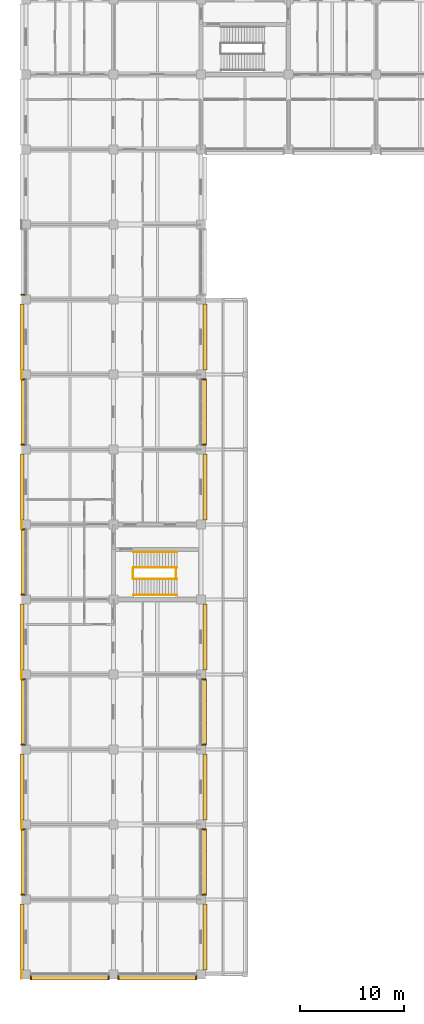
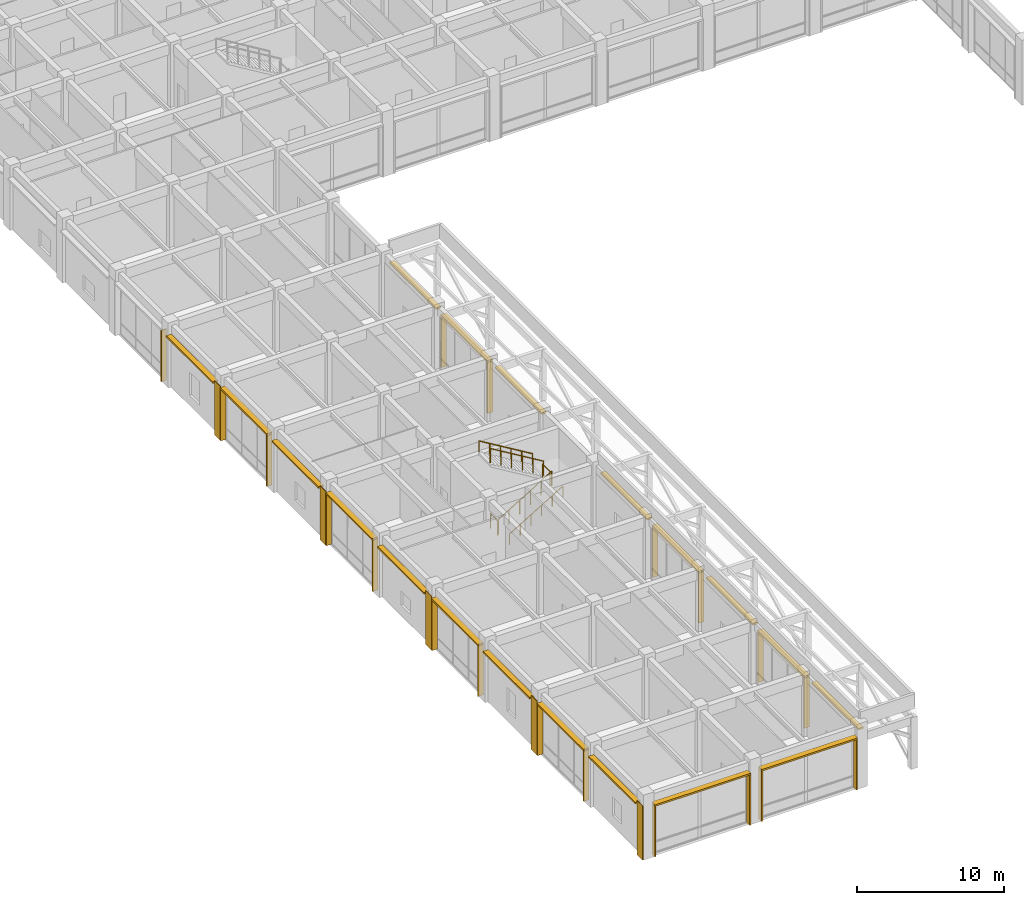
# One storey, part 62 of 68: 38 shading devices, 6 railings, 5 coverings.
"""IFC4 building model written with IfcOpenShell, lengths in metres."""

from ifc_helpers import new_model, si_unit, direction, frame, origin, origin_2d, place, context, subcontext, project, spatial, rectangle, circle, extrude, material, layer, layer_set, type_object, element, save


model = new_model("IFC4")

# Units and contexts
model_context = context("Model", 3, precision=1e-05, world=origin(), true_north=direction((0.0, 1.0)))
body_context = subcontext(model_context, "Body", "Model", "MODEL_VIEW")
ifc_project = project(units=[si_unit("LENGTHUNIT", "METRE"), si_unit("AREAUNIT", "SQUARE_METRE"), si_unit("VOLUMEUNIT", "CUBIC_METRE"), si_unit("PLANEANGLEUNIT", "RADIAN"), si_unit("MASSUNIT", "GRAM", prefix="KILO")], contexts=[model_context])

# Site, building, storey
site_placement = place(None, origin())
site = spatial("IfcSite", under=ifc_project, at=site_placement, CompositionType="ELEMENT")
building_placement = place(site_placement, origin())
building = spatial("IfcBuilding", under=site, at=building_placement, Name="Chengyuan Square Courthouse", CompositionType="ELEMENT")
storey_placement = place(building_placement, frame((0.0, 0.0, 5.39990234375)))
storey = spatial("IfcBuildingStorey", under=building, at=storey_placement, Name="L02", CompositionType="ELEMENT", Elevation=5.39990234375)

# Coverings
ifc_material_1 = material(Name="Flamed Liaoning Granite Column Cladding", Category="masonry")
ifc_layer = layer(ifc_material_1, 0.050048828125)
ifc_layer_set = layer_set([ifc_layer], Name="Flamed Liaoning Granite Column Cladding")
covering_type = type_object("IfcCoveringType", Name="CLD-01", PredefinedType="CLADDING", material=ifc_layer_set)
for number, where, z_axis, x_axis, name in (
    (1, (-0.445068359375, 0.0, 0.0), (0.0, 0.0, 1.0), (1.0, 0.0, 0.0), "Granite Column Cladding CLD-L02-13"),
    (2, (-0.445068359375, 14.39990234375, 0.0), (0.0, 0.0, 1.0), (1.0, 0.0, 0.0), "Granite Column Cladding CLD-L02-14"),
    (3, (-0.445068359375, 28.800048828125, 0.0), (0.0, 0.0, 1.0), (1.0, 0.0, 0.0), "Granite Column Cladding CLD-L02-15"),
    (4, (-0.445068359375, 43.199951171875, 0.0), (0.0, 0.0, 1.0), (1.0, 0.0, 0.0), "Granite Column Cladding CLD-L02-16"),
    (5, (-0.445068359375, 57.60009765625, 0.0), (0.0, 0.0, 1.0), (1.0, 0.0, 0.0), "Granite Column Cladding CLD-L02-17"),
):
    element("IfcCovering", number, at=place(storey_placement, frame(where, z_axis=z_axis, x_axis=x_axis)), inside=storey, type_object=covering_type, Name=name, PredefinedType="CLADDING", context=body_context, shape_type="SweptSolid", body=[
        extrude(rectangle(XDim=0.050048828125, YDim=0.800048828125, at=origin_2d()), origin(), (0.0, 0.0, 1.0), 4.5),
    ])

# Railings
ifc_material_2 = material(Name="Tempered Glass and Timber Top-Rail Balustrade", Category="wood")
railing_type_1 = type_object("IfcRailingType", Name="RL-02", PredefinedType="BALUSTRADE", material=ifc_material_2)
for number, where, name in (
    (6, (10.2900390625, 38.0, 0.0), "Stair Floor Slot Guard ST-7 L02"),
    (7, (14.389892578125, 38.0, 2.7001953125), "Stair Landing Guard ST-7-L02"),
):
    element("IfcRailing", number, at=place(storey_placement, frame(where)), inside=storey, type_object=railing_type_1, Name=name, PredefinedType="BALUSTRADE", context=body_context, shape_type="SweptSolid", body=[
        extrude(circle(Radius=0.02392578125, at=origin_2d()), frame((0.0, 0.0, 1.17578125), z_axis=(0.0, 1.0, 0.0), x_axis=(-1.0, 0.0, 0.0)), (0.0, 0.0, 1.0), 1.0),
        extrude(circle(Radius=0.02099609375, at=origin_2d()), origin(), (0.0, 0.0, 1.0), 1.15185546875),
        extrude(circle(Radius=0.02099609375, at=origin_2d()), frame((0.0, 1.0, 0.0)), (0.0, 0.0, 1.0), 1.15185546875),
    ])
railing_1_placement = place(storey_placement, frame((10.31005859375, 37.949951171875, 0.1689453125)))
element("IfcRailing", 8, at=railing_1_placement, inside=storey, type_object=railing_type_1, Name="Stair Flight 1 Guard ST-7-L02", PredefinedType="BALUSTRADE", context=body_context, shape_type="SweptSolid", body=[
    extrude(circle(Radius=0.02392578125, at=origin_2d()), frame((0.0, 0.0, 1.17578125), z_axis=(0.856476492594, 0.0, 0.516186030065), x_axis=(0.0, 1.0, 0.0)), (0.0, 0.0, 1.0), 4.90380859375),
    extrude(circle(Radius=0.02099609375, at=origin_2d()), origin(), (0.0, 0.0, 1.0), 1.15185546875),
    extrude(circle(Radius=0.02099609375, at=origin_2d()), frame((0.840087890625, 0.0, 0.50634765625)), (0.0, 0.0, 1.0), 1.15185546875),
    extrude(circle(Radius=0.02099609375, at=origin_2d()), frame((1.679931640625, 0.0, 1.012451171875)), (0.0, 0.0, 1.0), 1.15185546875),
    extrude(circle(Radius=0.02099609375, at=origin_2d()), frame((2.52001953125, 0.0, 1.518798828125)), (0.0, 0.0, 1.0), 1.15185546875),
    extrude(circle(Radius=0.02099609375, at=origin_2d()), frame((3.35986328125, 0.0, 2.02490234375)), (0.0, 0.0, 1.0), 1.15185546875),
    extrude(circle(Radius=0.02099609375, at=origin_2d()), frame((4.199951171875, 0.0, 2.53125)), (0.0, 0.0, 1.0), 1.15185546875),
])
railing_2_placement = place(storey_placement, frame((14.510009765625, 39.050048828125, 2.868896484375)))
element("IfcRailing", 9, at=railing_2_placement, inside=storey, type_object=railing_type_1, Name="Stair Flight 2 Guard ST-7-L02", PredefinedType="BALUSTRADE", context=body_context, shape_type="SweptSolid", body=[
    extrude(circle(Radius=0.02392578125, at=origin_2d()), frame((0.0, 0.0, 1.17578125), z_axis=(-0.856476492594, 0.0, 0.516186030065), x_axis=(0.0, -1.0, 0.0)), (0.0, 0.0, 1.0), 4.90380859375),
    extrude(circle(Radius=0.02099609375, at=origin_2d()), origin(), (0.0, 0.0, 1.0), 1.15185546875),
    extrude(circle(Radius=0.02099609375, at=origin_2d()), frame((-0.840087890625, 0.0, 0.50634765625)), (0.0, 0.0, 1.0), 1.15185546875),
    extrude(circle(Radius=0.02099609375, at=origin_2d()), frame((-1.679931640625, 0.0, 1.012451171875)), (0.0, 0.0, 1.0), 1.15185546875),
    extrude(circle(Radius=0.02099609375, at=origin_2d()), frame((-2.52001953125, 0.0, 1.518798828125)), (0.0, 0.0, 1.0), 1.15185546875),
    extrude(circle(Radius=0.02099609375, at=origin_2d()), frame((-3.35986328125, 0.0, 2.02490234375)), (0.0, 0.0, 1.0), 1.15185546875),
    extrude(circle(Radius=0.02099609375, at=origin_2d()), frame((-4.199951171875, 0.0, 2.53125)), (0.0, 0.0, 1.0), 1.15185546875),
])
ifc_material_3 = material(Name="Stainless Steel S30408 Stair Handrail", Category="steel")
railing_type_2 = type_object("IfcRailingType", Name="RL-04", PredefinedType="HANDRAIL", material=ifc_material_3)
railing_3_placement = place(storey_placement, frame((10.31005859375, 36.419921875, 0.1689453125)))
element("IfcRailing", 10, at=railing_3_placement, inside=storey, type_object=railing_type_2, Name="Stair Flight 1 Handrail ST-7-L02", PredefinedType="HANDRAIL", context=body_context, shape_type="SweptSolid", body=[
    extrude(circle(Radius=0.02392578125, at=origin_2d()), frame((0.0, 0.0, 0.8759765625), z_axis=(0.856476492594, 0.0, 0.516186030065), x_axis=(0.0, 1.0, 0.0)), (0.0, 0.0, 1.0), 4.90380859375),
    extrude(circle(Radius=0.02099609375, at=origin_2d()), origin(), (0.0, 0.0, 1.0), 0.851806640625),
    extrude(circle(Radius=0.02099609375, at=origin_2d()), frame((0.840087890625, 0.0, 0.50634765625)), (0.0, 0.0, 1.0), 0.851806640625),
    extrude(circle(Radius=0.02099609375, at=origin_2d()), frame((1.679931640625, 0.0, 1.012451171875)), (0.0, 0.0, 1.0), 0.851806640625),
    extrude(circle(Radius=0.02099609375, at=origin_2d()), frame((2.52001953125, 0.0, 1.518798828125)), (0.0, 0.0, 1.0), 0.851806640625),
    extrude(circle(Radius=0.02099609375, at=origin_2d()), frame((3.35986328125, 0.0, 2.02490234375)), (0.0, 0.0, 1.0), 0.851806640625),
    extrude(circle(Radius=0.02099609375, at=origin_2d()), frame((4.199951171875, 0.0, 2.53125)), (0.0, 0.0, 1.0), 0.851806640625),
])
railing_4_placement = place(storey_placement, frame((14.510009765625, 40.580078125, 2.868896484375)))
element("IfcRailing", 11, at=railing_4_placement, inside=storey, type_object=railing_type_2, Name="Stair Flight 2 Handrail ST-7-L02", PredefinedType="HANDRAIL", context=body_context, shape_type="SweptSolid", body=[
    extrude(circle(Radius=0.02392578125, at=origin_2d()), frame((0.0, 0.0, 0.8759765625), z_axis=(-0.856476492594, 0.0, 0.516186030065), x_axis=(0.0, -1.0, 0.0)), (0.0, 0.0, 1.0), 4.90380859375),
    extrude(circle(Radius=0.02099609375, at=origin_2d()), origin(), (0.0, 0.0, 1.0), 0.851806640625),
    extrude(circle(Radius=0.02099609375, at=origin_2d()), frame((-0.840087890625, 0.0, 0.50634765625)), (0.0, 0.0, 1.0), 0.851806640625),
    extrude(circle(Radius=0.02099609375, at=origin_2d()), frame((-1.679931640625, 0.0, 1.012451171875)), (0.0, 0.0, 1.0), 0.851806640625),
    extrude(circle(Radius=0.02099609375, at=origin_2d()), frame((-2.52001953125, 0.0, 1.518798828125)), (0.0, 0.0, 1.0), 0.851806640625),
    extrude(circle(Radius=0.02099609375, at=origin_2d()), frame((-3.35986328125, 0.0, 2.02490234375)), (0.0, 0.0, 1.0), 0.851806640625),
    extrude(circle(Radius=0.02099609375, at=origin_2d()), frame((-4.199951171875, 0.0, 2.53125)), (0.0, 0.0, 1.0), 0.851806640625),
])

# Shading devices
ifc_material_4 = material(Name="Glulam TCt28 Solar Shading Fin", Category="wood")
shading_device_type_1 = type_object("IfcShadingDeviceType", Name="SHD-01", PredefinedType="JALOUSIE", material=ifc_material_4)
for number, where, z_axis, x_axis, name in (
    (12, (0.465087890625, -0.31201171875, 0.0400390625), (0.0, 0.0, 1.0), (0.0, 1.0, 0.0), "Glulam Solar Fin SHD-L02-0133"),
    (13, (7.93505859375, -0.31201171875, 0.0400390625), (0.0, 0.0, 1.0), (0.0, 1.0, 0.0), "Glulam Solar Fin SHD-L02-0134"),
    (14, (-0.281982421875, 7.655029296875, 0.0400390625), (0.0, 0.0, 1.0), (1.0, 0.0, 0.0), "Glulam Solar Fin SHD-L02-0137"),
    (15, (-0.281982421875, 13.945068359375, 0.0400390625), (0.0, 0.0, 1.0), (1.0, 0.0, 0.0), "Glulam Solar Fin SHD-L02-0138"),
    (16, (-0.281982421875, 22.054931640625, 0.0400390625), (0.0, 0.0, 1.0), (1.0, 0.0, 0.0), "Glulam Solar Fin SHD-L02-0141"),
    (17, (-0.281982421875, 28.344970703125, 0.0400390625), (0.0, 0.0, 1.0), (1.0, 0.0, 0.0), "Glulam Solar Fin SHD-L02-0142"),
):
    element("IfcShadingDevice", number, at=place(storey_placement, frame(where, z_axis=z_axis, x_axis=x_axis)), inside=storey, type_object=shading_device_type_1, Name=name, PredefinedType="JALOUSIE", context=body_context, shape_type="SweptSolid", body=[
        extrude(rectangle(XDim=0.419921875, YDim=0.094970703125, at=origin_2d()), origin(), (0.0, 0.0, 1.0), 4.18994140625),
    ])
for number, where, z_axis, x_axis, name in (
    (18, (-0.281982421875, 36.455078125, 0.0400390625), (0.0, 0.0, 1.0), (1.0, 0.0, 0.0), "Glulam Solar Fin SHD-L02-0145"),
    (19, (-0.281982421875, 42.7451171875, 0.0400390625), (0.0, 0.0, 1.0), (1.0, 0.0, 0.0), "Glulam Solar Fin SHD-L02-0146"),
    (20, (-0.281982421875, 50.85498046875, 0.0400390625), (0.0, 0.0, 1.0), (1.0, 0.0, 0.0), "Glulam Solar Fin SHD-L02-0149"),
    (21, (-0.281982421875, 57.14501953125, 0.0400390625), (0.0, 0.0, 1.0), (1.0, 0.0, 0.0), "Glulam Solar Fin SHD-L02-0150"),
    (22, (-0.281982421875, 65.2548828125, 0.0400390625), (0.0, 0.0, 1.0), (1.0, 0.0, 0.0), "Glulam Solar Fin SHD-L02-0153"),
):
    element("IfcShadingDevice", number, at=place(storey_placement, frame(where, z_axis=z_axis, x_axis=x_axis)), inside=storey, type_object=shading_device_type_1, Name=name, PredefinedType="JALOUSIE", context=body_context, shape_type="SweptSolid", body=[
        extrude(rectangle(XDim=0.419921875, YDim=0.094970703125, at=origin_2d()), origin(), (0.0, 0.0, 1.0), 4.260009765625),
    ])
for number, where, z_axis, x_axis, name in (
    (23, (8.864990234375, -0.31201171875, 0.0400390625), (0.0, 0.0, 1.0), (0.0, 1.0, 0.0), "Glulam Solar Fin SHD-L02-0161"),
    (24, (16.3349609375, -0.31201171875, 0.0400390625), (0.0, 0.0, 1.0), (0.0, 1.0, 0.0), "Glulam Solar Fin SHD-L02-0162"),
    (25, (17.08203125, 7.655029296875, 0.0400390625), (0.0, 0.0, 1.0), (1.0, 0.0, 0.0), "Glulam Solar Fin SHD-L02-0165"),
    (26, (17.08203125, 13.945068359375, 0.0400390625), (0.0, 0.0, 1.0), (1.0, 0.0, 0.0), "Glulam Solar Fin SHD-L02-0166"),
    (27, (17.08203125, 22.054931640625, 0.0400390625), (0.0, 0.0, 1.0), (1.0, 0.0, 0.0), "Glulam Solar Fin SHD-L02-0169"),
    (28, (17.08203125, 28.344970703125, 0.0400390625), (0.0, 0.0, 1.0), (1.0, 0.0, 0.0), "Glulam Solar Fin SHD-L02-0170"),
):
    element("IfcShadingDevice", number, at=place(storey_placement, frame(where, z_axis=z_axis, x_axis=x_axis)), inside=storey, type_object=shading_device_type_1, Name=name, PredefinedType="JALOUSIE", context=body_context, shape_type="SweptSolid", body=[
        extrude(rectangle(XDim=0.419921875, YDim=0.094970703125, at=origin_2d()), origin(), (0.0, 0.0, 1.0), 4.18994140625),
    ])
for number, where, z_axis, x_axis, name in (
    (29, (17.08203125, 50.85498046875, 0.0400390625), (0.0, 0.0, 1.0), (1.0, 0.0, 0.0), "Glulam Solar Fin SHD-L02-0174"),
    (30, (17.08203125, 57.14501953125, 0.0400390625), (0.0, 0.0, 1.0), (1.0, 0.0, 0.0), "Glulam Solar Fin SHD-L02-0175"),
):
    element("IfcShadingDevice", number, at=place(storey_placement, frame(where, z_axis=z_axis, x_axis=x_axis)), inside=storey, type_object=shading_device_type_1, Name=name, PredefinedType="JALOUSIE", context=body_context, shape_type="SweptSolid", body=[
        extrude(rectangle(XDim=0.419921875, YDim=0.094970703125, at=origin_2d()), origin(), (0.0, 0.0, 1.0), 4.260009765625),
    ])
ifc_material_5 = material(Name="Glulam TCt28 Sunshade Louvre", Category="wood")
shading_device_type_2 = type_object("IfcShadingDeviceType", Name="SHD-02", PredefinedType="AWNING", material=ifc_material_5)
shading_device_1_placement = place(storey_placement, frame((4.199951171875, -0.31201171875, 4.22998046875), z_axis=(0.0, 0.0, 1.0), x_axis=(1.0, 0.0, 0.0)))
element("IfcShadingDevice", 31, at=shading_device_1_placement, inside=storey, type_object=shading_device_type_2, Name="Glulam Sunshade Louvre SHD-L02-0135", PredefinedType="AWNING", context=body_context, shape_type="SweptSolid", body=[
    extrude(rectangle(XDim=7.550048828125, YDim=0.43994140625, at=origin_2d()), origin(), (0.0, 0.0, 1.0), 0.139892578125),
])
for number, where, z_axis, x_axis, name in (
    (32, (-0.281982421875, 10.800048828125, 4.22998046875), (0.0, 0.0, 1.0), (0.0, 1.0, 0.0), "Glulam Sunshade Louvre SHD-L02-0139"),
    (33, (-0.281982421875, 25.199951171875, 4.22998046875), (0.0, 0.0, 1.0), (0.0, 1.0, 0.0), "Glulam Sunshade Louvre SHD-L02-0143"),
    (34, (-0.281982421875, 39.60009765625, 4.30029296875), (0.0, 0.0, 1.0), (0.0, 1.0, 0.0), "Glulam Sunshade Louvre SHD-L02-0147"),
    (35, (-0.281982421875, 54.0, 4.30029296875), (0.0, 0.0, 1.0), (0.0, 1.0, 0.0), "Glulam Sunshade Louvre SHD-L02-0151"),
):
    element("IfcShadingDevice", number, at=place(storey_placement, frame(where, z_axis=z_axis, x_axis=x_axis)), inside=storey, type_object=shading_device_type_2, Name=name, PredefinedType="AWNING", context=body_context, shape_type="SweptSolid", body=[
        extrude(rectangle(XDim=6.35009765625, YDim=0.43994140625, at=origin_2d()), origin(), (0.0, 0.0, 1.0), 0.139892578125),
    ])
shading_device_2_placement = place(storey_placement, frame((12.60009765625, -0.31201171875, 4.22998046875), z_axis=(0.0, 0.0, 1.0), x_axis=(1.0, 0.0, 0.0)))
element("IfcShadingDevice", 36, at=shading_device_2_placement, inside=storey, type_object=shading_device_type_2, Name="Glulam Sunshade Louvre SHD-L02-0163", PredefinedType="AWNING", context=body_context, shape_type="SweptSolid", body=[
    extrude(rectangle(XDim=7.550048828125, YDim=0.43994140625, at=origin_2d()), origin(), (0.0, 0.0, 1.0), 0.139892578125),
])
for number, where, z_axis, x_axis, name in (
    (37, (17.08203125, 10.800048828125, 4.22998046875), (0.0, 0.0, 1.0), (0.0, 1.0, 0.0), "Glulam Sunshade Louvre SHD-L02-0167"),
    (38, (17.08203125, 25.199951171875, 4.22998046875), (0.0, 0.0, 1.0), (0.0, 1.0, 0.0), "Glulam Sunshade Louvre SHD-L02-0171"),
    (39, (17.08203125, 54.0, 4.30029296875), (0.0, 0.0, 1.0), (0.0, 1.0, 0.0), "Glulam Sunshade Louvre SHD-L02-0176"),
):
    element("IfcShadingDevice", number, at=place(storey_placement, frame(where, z_axis=z_axis, x_axis=x_axis)), inside=storey, type_object=shading_device_type_2, Name=name, PredefinedType="AWNING", context=body_context, shape_type="SweptSolid", body=[
        extrude(rectangle(XDim=6.35009765625, YDim=0.43994140625, at=origin_2d()), origin(), (0.0, 0.0, 1.0), 0.139892578125),
    ])
ifc_material_6 = material(Name="Glulam TCt28 Facade Sunshade", Category="wood")
shading_device_type_3 = type_object("IfcShadingDeviceType", Name="SHD-03", PredefinedType="AWNING", material=ifc_material_6)
for number, where, z_axis, x_axis, name in (
    (40, (-0.382080078125, 3.60009765625, 4.2099609375), (0.0, 0.0, 1.0), (0.0, 1.0, 0.0), "Glulam Facade Sunshade SHD-L02-0136"),
    (41, (-0.382080078125, 18.0, 4.2099609375), (0.0, 0.0, 1.0), (0.0, 1.0, 0.0), "Glulam Facade Sunshade SHD-L02-0140"),
    (42, (-0.382080078125, 32.39990234375, 4.2099609375), (0.0, 0.0, 1.0), (0.0, 1.0, 0.0), "Glulam Facade Sunshade SHD-L02-0144"),
    (43, (-0.382080078125, 46.800048828125, 4.2802734375), (0.0, 0.0, 1.0), (0.0, 1.0, 0.0), "Glulam Facade Sunshade SHD-L02-0148"),
    (44, (-0.382080078125, 61.199951171875, 4.2802734375), (0.0, 0.0, 1.0), (0.0, 1.0, 0.0), "Glulam Facade Sunshade SHD-L02-0152"),
    (45, (17.181884765625, 3.60009765625, 4.2099609375), (0.0, 0.0, 1.0), (0.0, 1.0, 0.0), "Glulam Facade Sunshade SHD-L02-0164"),
    (46, (17.181884765625, 18.0, 4.2099609375), (0.0, 0.0, 1.0), (0.0, 1.0, 0.0), "Glulam Facade Sunshade SHD-L02-0168"),
    (47, (17.181884765625, 32.39990234375, 4.2099609375), (0.0, 0.0, 1.0), (0.0, 1.0, 0.0), "Glulam Facade Sunshade SHD-L02-0172"),
    (48, (17.181884765625, 46.800048828125, 4.2802734375), (0.0, 0.0, 1.0), (0.0, 1.0, 0.0), "Glulam Facade Sunshade SHD-L02-0173"),
    (49, (17.181884765625, 61.199951171875, 4.2802734375), (0.0, 0.0, 1.0), (0.0, 1.0, 0.0), "Glulam Facade Sunshade SHD-L02-0177"),
):
    element("IfcShadingDevice", number, at=place(storey_placement, frame(where, z_axis=z_axis, x_axis=x_axis)), inside=storey, type_object=shading_device_type_3, Name=name, PredefinedType="AWNING", context=body_context, shape_type="SweptSolid", body=[
        extrude(rectangle(XDim=6.360107421875, YDim=0.39990234375, at=origin_2d()), origin(), (0.0, 0.0, 1.0), 0.139892578125),
    ])

save(model, "model.ifc")
